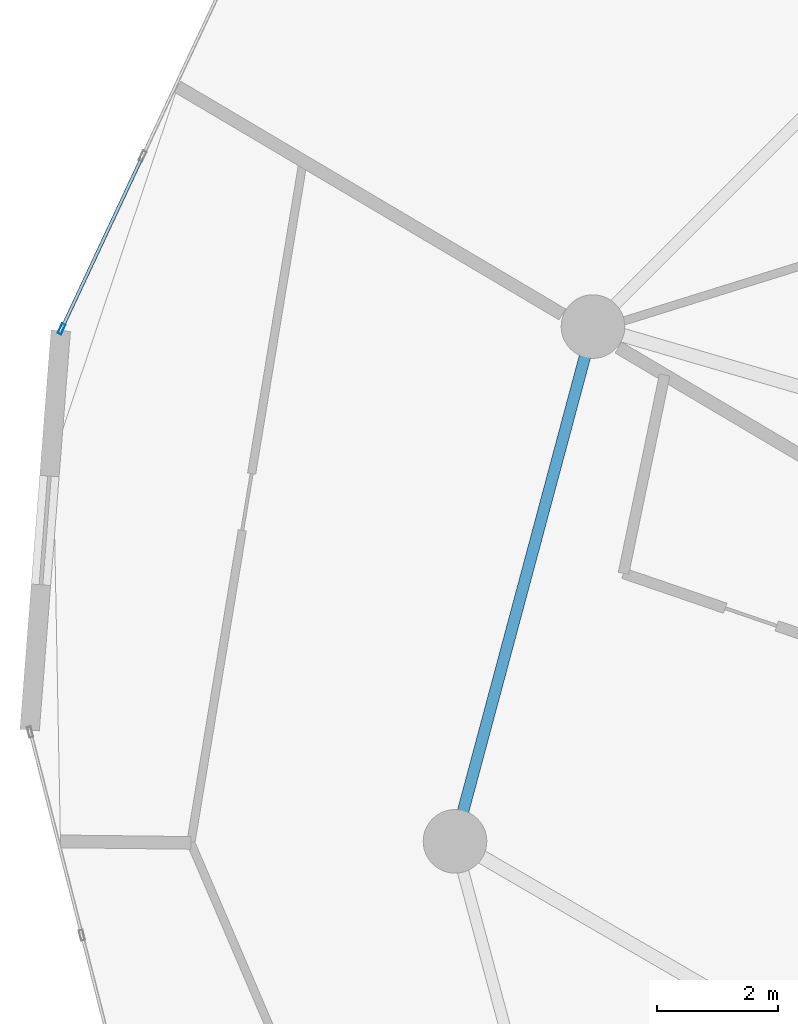
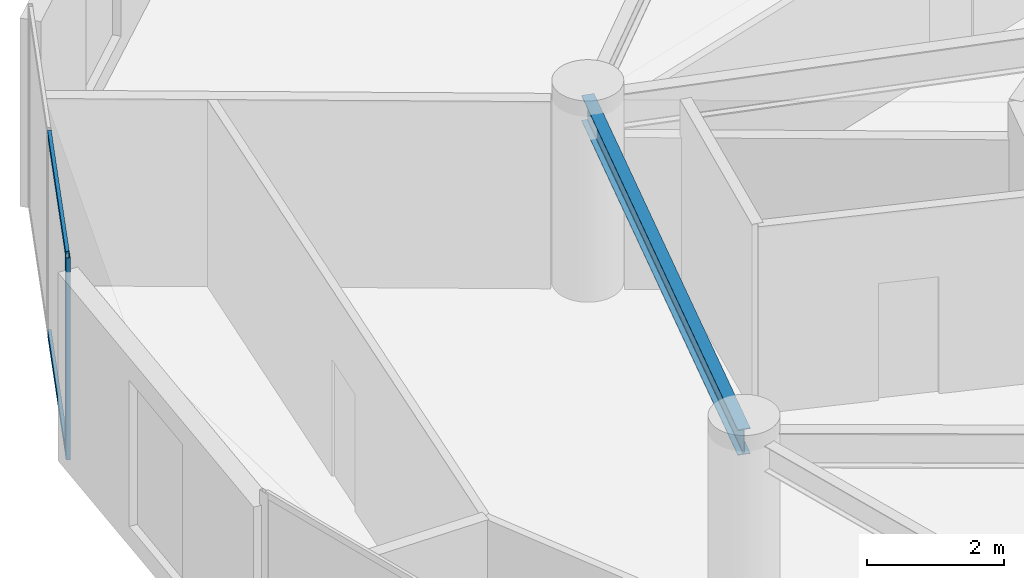
# One storey, part 8 of 25: 3 members, 1 beam, 1 element without a shape of its own.
"""IFC4 building model written with IfcOpenShell, lengths in metres."""

from ifc_helpers import new_model, si_unit, direction, frame, origin, origin_2d, place, context, subcontext, project, spatial, hollow_rectangle, i_section, extrude, source, transform, mapped, material, layer, layer_set, material_profile, profile_set, type_object, element, aggregate, save


model = new_model("IFC4")

# Units and contexts
model_context = context("Model", 3, precision=1e-05, world=origin(), true_north=direction((0.0, 1.0)))
body_context = subcontext(model_context, "Body", "Model", "MODEL_VIEW")
ifc_project = project(units=[si_unit("LENGTHUNIT", "METRE"), si_unit("AREAUNIT", "SQUARE_METRE"), si_unit("VOLUMEUNIT", "CUBIC_METRE"), si_unit("PLANEANGLEUNIT", "RADIAN"), si_unit("MASSUNIT", "GRAM", prefix="KILO")], contexts=[model_context])

# Site, building, storey
site_placement = place(None, origin())
site = spatial("IfcSite", under=ifc_project, at=site_placement, CompositionType="ELEMENT")
building_placement = place(site_placement, origin())
building = spatial("IfcBuilding", under=site, at=building_placement, Name="Solvirekh Grand Hotel", CompositionType="ELEMENT")
storey_placement = place(building_placement, frame((0.0, 0.0, 120.60009765625)))
storey = spatial("IfcBuildingStorey", under=building, at=storey_placement, Name="L30", CompositionType="ELEMENT", Elevation=120.60009765625)

# Beam
ifc_material_1 = material(Name="Steel S355", Category="steel")
ifc_material_profile_1 = material_profile(ifc_material_1, i_section(OverallWidth=0.18994140625, OverallDepth=0.45703125, WebThickness=0.009033203125, FlangeThickness=0.013916015625, FilletRadius=0.012939453125, at=origin_2d()), Name="W460X74")
ifc_profile_set_1 = profile_set([ifc_material_profile_1], Name="Steel S355")
beam_type = type_object("IfcBeamType", Name="Spandrel_Ring_W460", PredefinedType="SPANDREL", material=ifc_profile_set_1)
beam_placement = place(storey_placement, frame((-14.721923828125, 8.5, 3.121826171875), z_axis=(-0.258872908946, -0.965911391906, 0.0), x_axis=(0.965911391906, -0.258872908946, 0.0)))
element("IfcBeam", 1, at=beam_placement, inside=storey, type_object=beam_type, Name="L30 perimeter spandrel beam 6", PredefinedType="SPANDREL", context=body_context, shape_type="SweptSolid", body=[
    extrude(i_section(OverallWidth=0.18994140625, OverallDepth=0.45703125, WebThickness=0.009033203125, FlangeThickness=0.013916015625, FilletRadius=0.012939453125, at=origin_2d()), origin(), (0.0, 0.0, 1.0), 8.800048828125),
])

# Curtain wall, members
ifc_material_2 = material(Name="Anodized Bronze Aluminium 6063-T6", Category="aluminium")
ifc_layer = layer(ifc_material_2, 0.175048828125)
ifc_layer_set = layer_set([ifc_layer], Name="Anodized Bronze Aluminium 6063-T6")
curtain_wall_type = type_object("IfcCurtainWallType", Name="CW_Sys3_MidZoneFlushBronzeCW", PredefinedType="NOTDEFINED", material=ifc_layer_set)
curtain_wall_placement = place(storey_placement, origin())
curtain_wall = element("IfcCurtainWall", 2, at=curtain_wall_placement, inside=storey, type_object=curtain_wall_type, Name="L30 unitised bronze-glass curtain wall CW-L30-C11", PredefinedType="NOTDEFINED")
ifc_material_profile_2 = material_profile(ifc_material_2, hollow_rectangle(XDim=0.06494140625, YDim=0.175048828125, WallThickness=0.0048828125, at=origin_2d()), Name="ALU RHS 175X65X5")
ifc_profile_set_2 = profile_set([ifc_material_profile_2], Name="Anodized Bronze Aluminium 6063-T6")
member_type_1 = type_object("IfcMemberType", Name="CWMullion_Sys3", PredefinedType="MULLION", material=ifc_profile_set_2)
shared_shape_1 = source(origin(), body_context, "Body", "SweptSolid", [
    extrude(hollow_rectangle(XDim=0.06494140625, YDim=0.175048828125, WallThickness=0.0048828125, at=origin_2d()), origin(), (0.0, 0.0, 1.0), 3.599853515625),
])
member_1_placement = place(storey_placement, frame((-23.49609375, 8.46044921875, 0.0), z_axis=(0.0, 0.0, 1.0), x_axis=(0.905564495067, -0.424208610562, 0.0)))
member_1 = element("IfcMember", 3, at=member_1_placement, type_object=member_type_1, Name="U03 mullion 3", PredefinedType="MULLION", context=body_context, shape_type="MappedRepresentation", body=[
    mapped(shared_shape_1, transform((0.0, 0.0, 0.0), x_axis=(1.0, 0.0, 0.0), y_axis=(0.0, 1.0, 0.0), z_axis=(0.0, 0.0, 1.0), scale=1.0)),
])
ifc_material_profile_3 = material_profile(ifc_material_2, hollow_rectangle(XDim=0.054931640625, YDim=0.1201171875, WallThickness=0.00390625, at=origin_2d()), Name="ALU RHS 120X55X4")
ifc_profile_set_3 = profile_set([ifc_material_profile_3], Name="Anodized Bronze Aluminium 6063-T6")
member_type_2 = type_object("IfcMemberType", Name="CWTransom_Sys3", PredefinedType="USERDEFINED", material=ifc_profile_set_3)
shared_shape_2 = source(origin(), body_context, "Body", "SweptSolid", [
    extrude(hollow_rectangle(XDim=0.054931640625, YDim=0.1201171875, WallThickness=0.00390625, at=origin_2d()), origin(), (0.0, 0.0, 1.0), 3.08740234375),
])
member_2_placement = place(storey_placement, frame((-22.1728515625, 11.28564453125, 0.02734375), z_axis=(-0.424166428414, -0.905584253952, 0.0), x_axis=(0.905584253952, -0.424166428414, 0.0)))
member_2 = element("IfcMember", 4, at=member_2_placement, type_object=member_type_2, Name="U03 transom 2.1", ObjectType="TRANSOM", PredefinedType="USERDEFINED", context=body_context, shape_type="MappedRepresentation", body=[
    mapped(shared_shape_2, transform((0.0, 0.0, 0.0), x_axis=(1.0, 0.0, 0.0), y_axis=(0.0, 1.0, 0.0), z_axis=(0.0, 0.0, 1.0), scale=1.0)),
])
member_3_placement = place(storey_placement, frame((-22.1728515625, 11.28564453125, 3.572509765625), z_axis=(-0.424166428414, -0.905584253952, 0.0), x_axis=(0.905584253952, -0.424166428414, 0.0)))
member_3 = element("IfcMember", 5, at=member_3_placement, type_object=member_type_2, Name="U03 transom 2.2", ObjectType="TRANSOM", PredefinedType="USERDEFINED", context=body_context, shape_type="MappedRepresentation", body=[
    mapped(shared_shape_2, transform((0.0, 0.0, 0.0), x_axis=(1.0, 0.0, 0.0), y_axis=(0.0, 1.0, 0.0), z_axis=(0.0, 0.0, 1.0), scale=1.0)),
])
aggregate(curtain_wall, [member_1, member_2, member_3])

save(model, "model.ifc")
